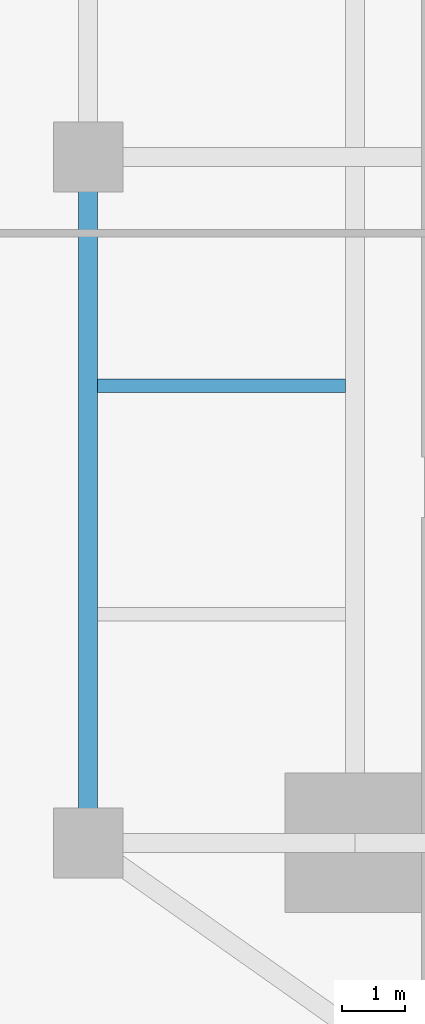
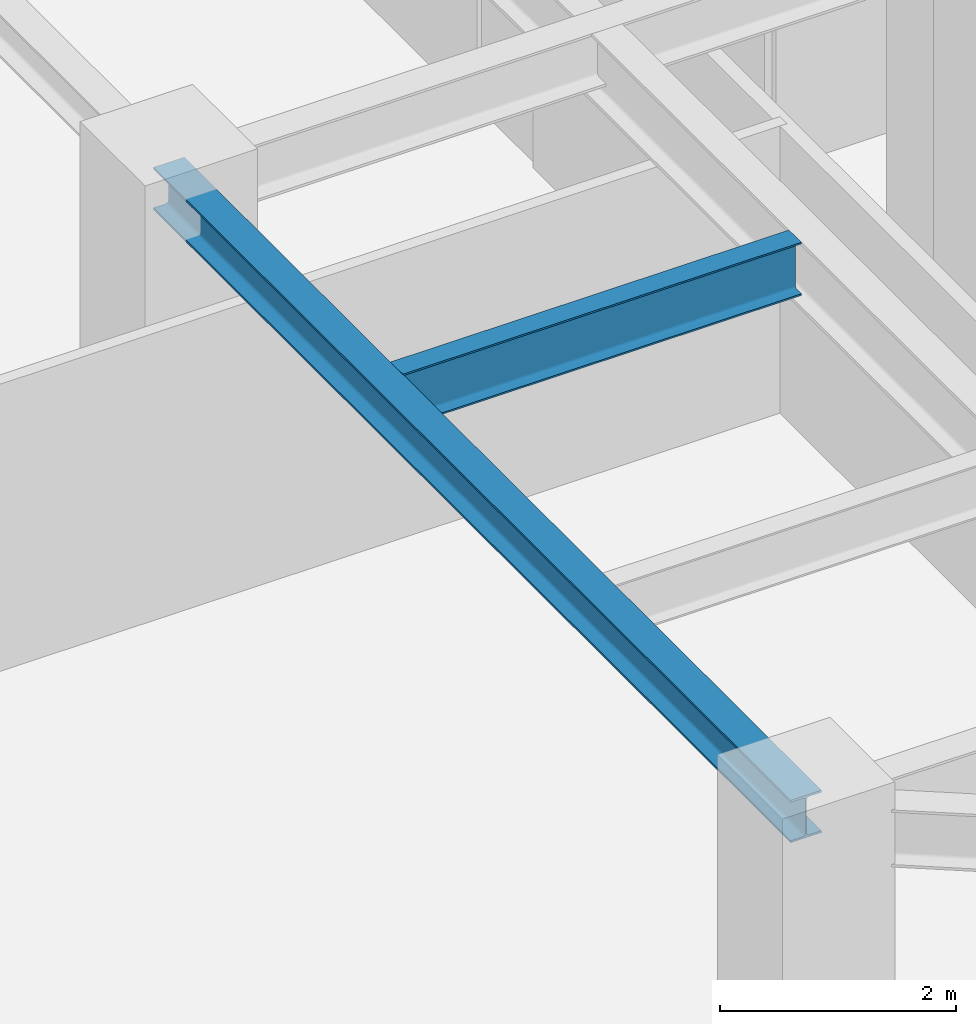
# One storey, part 9 of 30: 2 beams.
"""IFC4 building model written with IfcOpenShell, lengths in metres."""

from ifc_helpers import new_model, si_unit, direction, frame, origin, origin_2d, place, context, subcontext, project, spatial, i_section, extrude, source, transform, mapped, material, material_profile, profile_set, type_object, type_shapes, element, save


model = new_model("IFC4")

# Units and contexts
model_context = context("Model", 3, precision=1e-05, world=origin(), true_north=direction((0.0, 1.0)))
body_context = subcontext(model_context, "Body", "Model", "MODEL_VIEW")
ifc_project = project(units=[si_unit("LENGTHUNIT", "METRE"), si_unit("AREAUNIT", "SQUARE_METRE"), si_unit("VOLUMEUNIT", "CUBIC_METRE"), si_unit("PLANEANGLEUNIT", "RADIAN"), si_unit("MASSUNIT", "GRAM", prefix="KILO")], contexts=[model_context])

# Site, building, storey
site_placement = place(None, origin())
site = spatial("IfcSite", under=ifc_project, at=site_placement, CompositionType="ELEMENT")
building_placement = place(site_placement, origin())
building = spatial("IfcBuilding", under=site, at=building_placement, Name="Krantzveldt Concourse Tower", CompositionType="ELEMENT")
storey_placement = place(building_placement, frame((0.0, 0.0, 36.85009765625)))
storey = spatial("IfcBuildingStorey", under=building, at=storey_placement, Name="L08", CompositionType="ELEMENT", Elevation=36.85009765625)

# Beams
ifc_material = material(Name="Steel S355JR", Category="steel")
ifc_material_profile_1 = material_profile(ifc_material, i_section(OverallWidth=0.300048828125, OverallDepth=0.43994140625, WebThickness=0.011474609375, FlangeThickness=0.02099609375, FilletRadius=0.027099609375, at=origin_2d()), Name="Steel S355JR", Category="steel")
ifc_profile_set_1 = profile_set([ifc_material_profile_1], Name="Steel S355JR - HEA 450")
beam_type_1 = type_object("IfcBeamType", Name="BM-SP-HEA450", PredefinedType="SPANDREL", material=ifc_profile_set_1)
shared_shape_1 = source(origin(), body_context, "Body", "SweptSolid", [
    extrude(i_section(OverallWidth=0.300048828125, OverallDepth=0.43994140625, WebThickness=0.011474609375, FlangeThickness=0.02099609375, FilletRadius=0.027099609375, at=origin_2d()), origin(), (0.0, 0.0, 1.0), 10.800048828125),
])
type_shapes(beam_type_1, [shared_shape_1])
beam_1_placement = place(storey_placement, frame((21.0, 15.89990234375, 3.449951171875), z_axis=(0.0, 1.0, 0.0), x_axis=(-1.0, 0.0, 0.0)))
element("IfcBeam", 1, at=beam_1_placement, inside=storey, type_object=beam_type_1, Name="L08 Tower Girder SP-R01", PredefinedType="SPANDREL", context=body_context, shape_type="MappedRepresentation", body=[
    mapped(shared_shape_1, transform((0.0, 0.0, 0.0), x_axis=(1.0, 0.0, 0.0), y_axis=(0.0, 1.0, 0.0), z_axis=(0.0, 0.0, 1.0), scale=1.0)),
])
ifc_material_profile_2 = material_profile(ifc_material, i_section(OverallWidth=0.2099609375, OverallDepth=0.550048828125, WebThickness=0.010986328125, FlangeThickness=0.01708984375, FilletRadius=0.02392578125, at=origin_2d()), Name="Steel S355JR", Category="steel")
ifc_profile_set_2 = profile_set([ifc_material_profile_2], Name="Steel S355JR - IPE 550")
beam_type_2 = type_object("IfcBeamType", Name="BM-J-IPE550", PredefinedType="JOIST", material=ifc_profile_set_2)
shared_shape_2 = source(origin(), body_context, "Body", "SweptSolid", [
    extrude(i_section(OverallWidth=0.2099609375, OverallDepth=0.550048828125, WebThickness=0.010986328125, FlangeThickness=0.01708984375, FilletRadius=0.02392578125, at=origin_2d()), origin(), (0.0, 0.0, 1.0), 3.900146484375),
])
type_shapes(beam_type_2, [shared_shape_2])
beam_2_placement = place(storey_placement, frame((21.14990234375, 23.10009765625, 3.39501953125), z_axis=(1.0, 0.0, 0.0), x_axis=(0.0, 1.0, 0.0)))
element("IfcBeam", 2, at=beam_2_placement, inside=storey, type_object=beam_type_2, Name="L08 Secondary Floor Joist JW-2", PredefinedType="JOIST", context=body_context, shape_type="MappedRepresentation", body=[
    mapped(shared_shape_2, transform((0.0, 0.0, 0.0), x_axis=(1.0, 0.0, 0.0), y_axis=(0.0, 1.0, 0.0), z_axis=(0.0, 0.0, 1.0), scale=1.0)),
])

save(model, "model.ifc")
